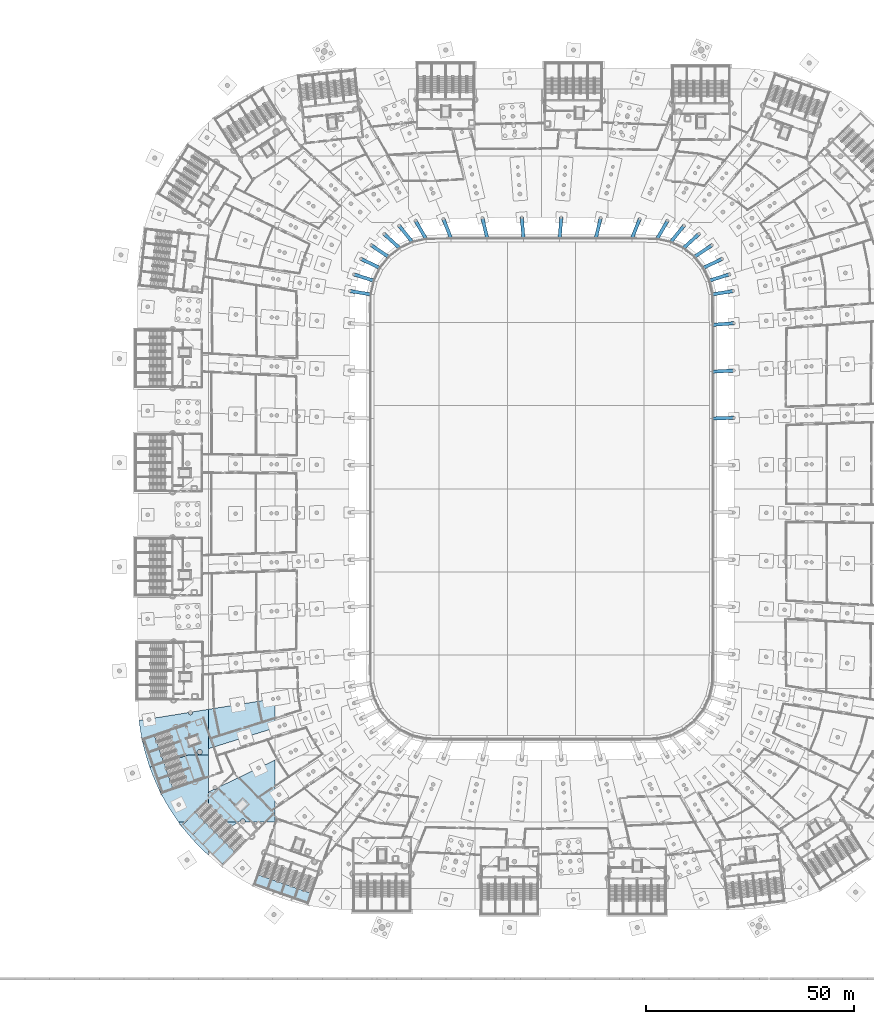
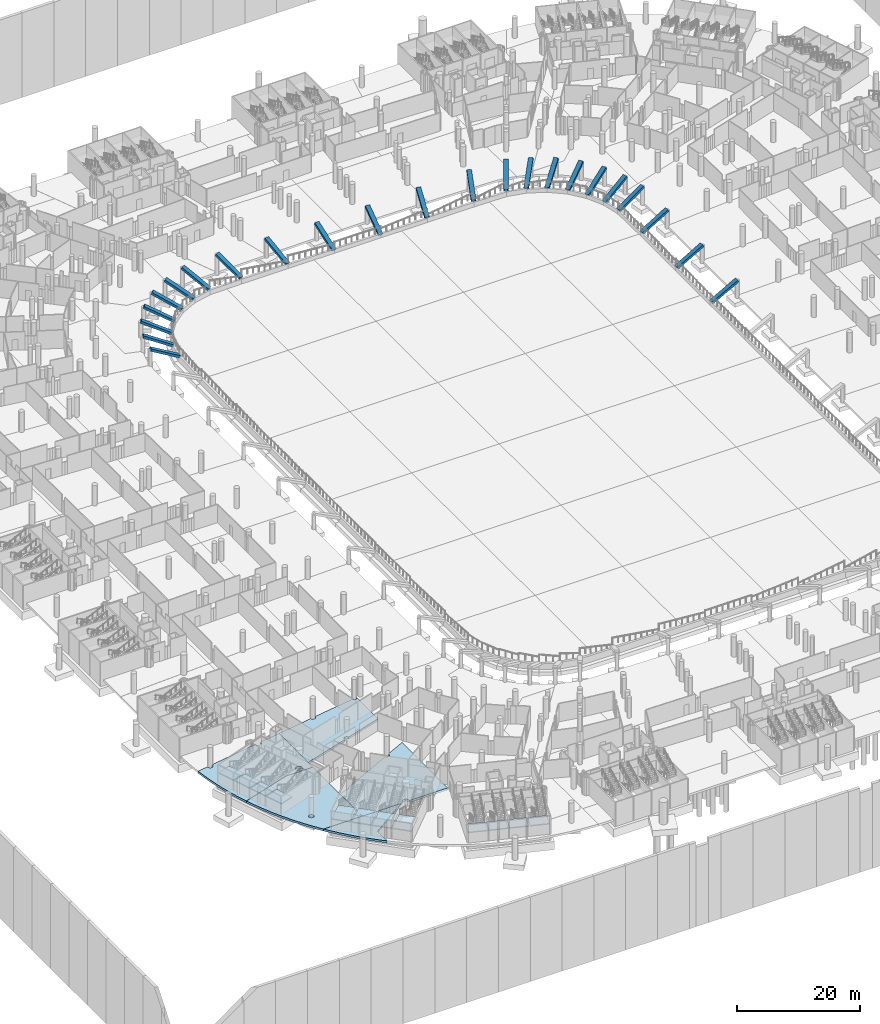
# One storey, part 13 of 142: 23 beams, 17 slabs, 12 elements without a shape of their own.
"""IFC4 building model written with IfcOpenShell, lengths in metres."""

from ifc_helpers import new_model, si_unit, direction, frame, origin, origin_2d, place, context, subcontext, project, spatial, polyline, rectangle, outline, extrude, material, layer, layer_set, material_profile, profile_set, type_object, element, aggregate, save


model = new_model("IFC4")

# Units and contexts
model_context = context("Model", 3, precision=1e-05, world=origin(), true_north=direction((0.0, 1.0)))
body_context = subcontext(model_context, "Body", "Model", "MODEL_VIEW")
ifc_project = project(units=[si_unit("LENGTHUNIT", "METRE"), si_unit("AREAUNIT", "SQUARE_METRE"), si_unit("VOLUMEUNIT", "CUBIC_METRE"), si_unit("PLANEANGLEUNIT", "RADIAN"), si_unit("MASSUNIT", "GRAM", prefix="KILO")], contexts=[model_context])

# Site, building, storey
site_placement = place(None, origin())
site = spatial("IfcSite", under=ifc_project, at=site_placement, CompositionType="ELEMENT")
building_placement = place(site_placement, origin())
building = spatial("IfcBuilding", under=site, at=building_placement, Name="Meseta Stadium", CompositionType="ELEMENT")
storey_placement = place(building_placement, frame((0.0, 0.0, -4.0)))
storey = spatial("IfcBuildingStorey", under=building, at=storey_placement, Name="B1", CompositionType="ELEMENT", Elevation=-4.0)

# Beams
ifc_material_1 = material(Name="Concrete C40/50", Category="concrete")
ifc_material_profile = material_profile(ifc_material_1, rectangle(XDim=0.800048828125, YDim=0.449951171875, at=origin_2d()), Name="RC 800x450")
ifc_profile_set = profile_set([ifc_material_profile], Name="Concrete C40/50")
beam_type = type_object("IfcBeamType", Name="RC raker lower 800x450", PredefinedType="USERDEFINED", material=ifc_profile_set)
beam_1_placement = place(storey_placement, frame((41.199951171875, 16.881591796875, 0.519287109375), z_axis=(0.890351363986, 0.029273851579, 0.454331916402), x_axis=(-0.032861230583, 0.999459923921, 0.0)))
element("IfcBeam", 1, at=beam_1_placement, inside=storey, type_object=beam_type, Name="Raker lower frame 6 lower tier", ObjectType="RAKER", PredefinedType="USERDEFINED", context=body_context, shape_type="SweptSolid", body=[
    extrude(rectangle(XDim=0.800048828125, YDim=0.449951171875, at=origin_2d()), origin(), (0.0, 0.0, 1.0), 5.61279296875),
])
for number, where, z_axis, x_axis, name in (
    (2, (41.19970703125, 28.135986328125, 0.582275390625), (0.889511317653, 0.048762393618, 0.454303692189), (-0.054737121461, 0.998500799967, 0.0), "Raker lower frame 7 lower tier"),
    (3, (41.199462890625, 39.390380859375, 0.64501953125), (0.888255930524, 0.06816342033, 0.454263304724), (-0.076513536062, 0.997068542679, 0.0), "Raker lower frame 8 lower tier"),
):
    element("IfcBeam", number, at=place(storey_placement, frame(where, z_axis=z_axis, x_axis=x_axis)), inside=storey, type_object=beam_type, Name=name, ObjectType="RAKER", PredefinedType="USERDEFINED", context=body_context, shape_type="SweptSolid", body=[
        extrude(rectangle(XDim=0.800048828125, YDim=0.449951171875, at=origin_2d()), origin(), (0.0, 0.0, 1.0), 5.612548828125),
    ])
beam_2_placement = place(storey_placement, frame((41.10302734375, 46.711181640625, 0.65234375), z_axis=(0.879657268627, 0.141693557068, 0.454011041315), x_axis=(-0.159028264924, 0.987274030325, 0.0)))
element("IfcBeam", 4, at=beam_2_placement, inside=storey, type_object=beam_type, Name="Raker lower frame 9 lower tier", ObjectType="RAKER", PredefinedType="USERDEFINED", context=body_context, shape_type="SweptSolid", body=[
    extrude(rectangle(XDim=0.800048828125, YDim=0.449951171875, at=origin_2d()), origin(), (0.0, 0.0, 1.0), 5.61181640625),
])
beam_3_placement = place(storey_placement, frame((40.34912109375, 50.013916015625, 0.518798828125), z_axis=(0.850475015067, 0.266692809965, 0.453395185087), x_axis=(-0.299214559617, 0.95418585575, 0.0)))
element("IfcBeam", 5, at=beam_3_placement, inside=storey, type_object=beam_type, Name="Raker lower frame 10 lower tier", ObjectType="RAKER", PredefinedType="USERDEFINED", context=body_context, shape_type="SweptSolid", body=[
    extrude(rectangle(XDim=0.800048828125, YDim=0.449951171875, at=origin_2d()), origin(), (0.0, 0.0, 1.0), 5.60986328125),
])
for number, where, z_axis, x_axis, name in (
    (6, (38.881103515625, 53.067138671875, 0.5869140625), (0.803269686135, 0.386293641119, 0.453359718289), (-0.433391294974, 0.901205850758, 0.0), "Raker lower frame 11 lower tier"),
    (7, (36.7724609375, 55.718505859375, 0.652587890625), (0.738726458975, 0.49870781745, 0.453402394816), (-0.559524848094, 0.828813576364, 0.0), "Raker lower frame 12 lower tier"),
    (8, (34.1279296875, 57.8359375, 0.71533203125), (0.65749256228, 0.601827441001, 0.453329087755), (-0.67519158345, 0.737642410412, 0.0), "Raker lower frame 13 lower tier"),
):
    element("IfcBeam", number, at=place(storey_placement, frame(where, z_axis=z_axis, x_axis=x_axis)), inside=storey, type_object=beam_type, Name=name, ObjectType="RAKER", PredefinedType="USERDEFINED", context=body_context, shape_type="SweptSolid", body=[
        extrude(rectangle(XDim=0.800048828125, YDim=0.449951171875, at=origin_2d()), origin(), (0.0, 0.0, 1.0), 5.609619140625),
    ])
beam_4_placement = place(storey_placement, frame((31.079833984375, 59.31396484375, 0.773681640625), z_axis=(0.559804362364, 0.693640345435, 0.453301386566), x_axis=(-0.778184391553, 0.628035868994, 0.0)))
element("IfcBeam", 9, at=beam_4_placement, inside=storey, type_object=beam_type, Name="Raker lower frame 14 lower tier", ObjectType="RAKER", PredefinedType="USERDEFINED", context=body_context, shape_type="SweptSolid", body=[
    extrude(rectangle(XDim=0.800048828125, YDim=0.449951171875, at=origin_2d()), origin(), (0.0, 0.0, 1.0), 5.609375),
])
beam_5_placement = place(storey_placement, frame((27.779541015625, 60.078857421875, 1.106201171875), z_axis=(0.446036419897, 0.771653016021, 0.4534348189), x_axis=(-0.865771523594, 0.500439475795, 0.0)))
element("IfcBeam", 10, at=beam_5_placement, inside=storey, type_object=beam_type, Name="Raker lower frame 15 lower tier", ObjectType="RAKER", PredefinedType="USERDEFINED", context=body_context, shape_type="SweptSolid", body=[
    extrude(rectangle(XDim=0.800048828125, YDim=0.449951171875, at=origin_2d()), origin(), (0.0, 0.0, 1.0), 5.60986328125),
])
beam_6_placement = place(storey_placement, frame((21.740478515625, 60.185791015625, 1.125), z_axis=(0.328737607393, 0.828458807512, 0.453417676917), x_axis=(-0.929496822239, 0.368830120039, 0.0)))
element("IfcBeam", 11, at=beam_6_placement, inside=storey, type_object=beam_type, Name="Raker lower frame 16 lower tier", ObjectType="RAKER", PredefinedType="USERDEFINED", context=body_context, shape_type="SweptSolid", body=[
    extrude(rectangle(XDim=0.800048828125, YDim=0.449951171875, at=origin_2d()), origin(), (0.0, 0.0, 1.0), 5.610107421875),
])
beam_7_placement = place(storey_placement, frame((13.04638671875, 60.194580078125, 0.802734375), z_axis=(0.206437336138, 0.8671412709, 0.453265532056), x_axis=(-0.972812501273, 0.231594122047, 0.0)))
element("IfcBeam", 12, at=beam_7_placement, inside=storey, type_object=beam_type, Name="Raker lower frame 17 lower tier", ObjectType="RAKER", PredefinedType="USERDEFINED", context=body_context, shape_type="SweptSolid", body=[
    extrude(rectangle(XDim=0.800048828125, YDim=0.449951171875, at=origin_2d()), origin(), (0.0, 0.0, 1.0), 5.609130859375),
])
for number, where, z_axis, x_axis, name in (
    (13, (4.34912109375, 60.199462890625, 0.456298828125), (0.070514381554, 0.888611789773, 0.453207247373), (-0.996866309449, 0.079104747554, 0.0), "Raker lower frame 18 lower tier"),
    (14, (-4.34912109375, 60.199462890625, 0.456298828125), (-0.070514381554, 0.888611789773, 0.453207247373), (-0.996866309449, -0.079104747554, 0.0), "Raker lower frame 19 lower tier"),
):
    element("IfcBeam", number, at=place(storey_placement, frame(where, z_axis=z_axis, x_axis=x_axis)), inside=storey, type_object=beam_type, Name=name, ObjectType="RAKER", PredefinedType="USERDEFINED", context=body_context, shape_type="SweptSolid", body=[
        extrude(rectangle(XDim=0.800048828125, YDim=0.449951171875, at=origin_2d()), origin(), (0.0, 0.0, 1.0), 5.60888671875),
    ])
beam_8_placement = place(storey_placement, frame((-13.04638671875, 60.194580078125, 0.802734375), z_axis=(-0.206437336138, 0.8671412709, 0.453265532056), x_axis=(-0.972812501273, -0.231594122047, 0.0)))
element("IfcBeam", 15, at=beam_8_placement, inside=storey, type_object=beam_type, Name="Raker lower frame 20 lower tier", ObjectType="RAKER", PredefinedType="USERDEFINED", context=body_context, shape_type="SweptSolid", body=[
    extrude(rectangle(XDim=0.800048828125, YDim=0.449951171875, at=origin_2d()), origin(), (0.0, 0.0, 1.0), 5.609130859375),
])
beam_9_placement = place(storey_placement, frame((-21.740478515625, 60.185791015625, 1.125), z_axis=(-0.328737607393, 0.828458807512, 0.453417676917), x_axis=(-0.929496822239, -0.368830120039, 0.0)))
element("IfcBeam", 16, at=beam_9_placement, inside=storey, type_object=beam_type, Name="Raker lower frame 21 lower tier", ObjectType="RAKER", PredefinedType="USERDEFINED", context=body_context, shape_type="SweptSolid", body=[
    extrude(rectangle(XDim=0.800048828125, YDim=0.449951171875, at=origin_2d()), origin(), (0.0, 0.0, 1.0), 5.610107421875),
])
beam_10_placement = place(storey_placement, frame((-27.779541015625, 60.078857421875, 1.106201171875), z_axis=(-0.446036419897, 0.771653016021, 0.4534348189), x_axis=(-0.865771523594, -0.500439475795, 0.0)))
element("IfcBeam", 17, at=beam_10_placement, inside=storey, type_object=beam_type, Name="Raker lower frame 22 lower tier", ObjectType="RAKER", PredefinedType="USERDEFINED", context=body_context, shape_type="SweptSolid", body=[
    extrude(rectangle(XDim=0.800048828125, YDim=0.449951171875, at=origin_2d()), origin(), (0.0, 0.0, 1.0), 5.60986328125),
])
beam_11_placement = place(storey_placement, frame((-31.079833984375, 59.31396484375, 0.773681640625), z_axis=(-0.559804362364, 0.693640345435, 0.453301386566), x_axis=(-0.778184391553, -0.628035868994, 0.0)))
element("IfcBeam", 18, at=beam_11_placement, inside=storey, type_object=beam_type, Name="Raker lower frame 23 lower tier", ObjectType="RAKER", PredefinedType="USERDEFINED", context=body_context, shape_type="SweptSolid", body=[
    extrude(rectangle(XDim=0.800048828125, YDim=0.449951171875, at=origin_2d()), origin(), (0.0, 0.0, 1.0), 5.609375),
])
for number, where, z_axis, x_axis, name in (
    (19, (-34.1279296875, 57.8359375, 0.71533203125), (-0.65749256228, 0.601827441001, 0.453329087755), (-0.67519158345, -0.737642410412, 0.0), "Raker lower frame 24 lower tier"),
    (20, (-36.7724609375, 55.718505859375, 0.652587890625), (-0.738726458975, 0.49870781745, 0.453402394816), (-0.559524848094, -0.828813576364, 0.0), "Raker lower frame 25 lower tier"),
    (21, (-38.881103515625, 53.067138671875, 0.5869140625), (-0.803269686135, 0.386293641119, 0.453359718289), (-0.433391294974, -0.901205850758, 0.0), "Raker lower frame 26 lower tier"),
):
    element("IfcBeam", number, at=place(storey_placement, frame(where, z_axis=z_axis, x_axis=x_axis)), inside=storey, type_object=beam_type, Name=name, ObjectType="RAKER", PredefinedType="USERDEFINED", context=body_context, shape_type="SweptSolid", body=[
        extrude(rectangle(XDim=0.800048828125, YDim=0.449951171875, at=origin_2d()), origin(), (0.0, 0.0, 1.0), 5.609619140625),
    ])
beam_12_placement = place(storey_placement, frame((-40.34912109375, 50.013916015625, 0.518798828125), z_axis=(-0.850475015067, 0.266692809965, 0.453395185087), x_axis=(-0.299214559617, -0.95418585575, 0.0)))
element("IfcBeam", 22, at=beam_12_placement, inside=storey, type_object=beam_type, Name="Raker lower frame 27 lower tier", ObjectType="RAKER", PredefinedType="USERDEFINED", context=body_context, shape_type="SweptSolid", body=[
    extrude(rectangle(XDim=0.800048828125, YDim=0.449951171875, at=origin_2d()), origin(), (0.0, 0.0, 1.0), 5.60986328125),
])
beam_13_placement = place(storey_placement, frame((-41.10302734375, 46.711181640625, 0.65234375), z_axis=(-0.879657268627, 0.141693557068, 0.454011041315), x_axis=(-0.159028264924, -0.987274030325, 0.0)))
element("IfcBeam", 23, at=beam_13_placement, inside=storey, type_object=beam_type, Name="Raker lower frame 28 lower tier", ObjectType="RAKER", PredefinedType="USERDEFINED", context=body_context, shape_type="SweptSolid", body=[
    extrude(rectangle(XDim=0.800048828125, YDim=0.449951171875, at=origin_2d()), origin(), (0.0, 0.0, 1.0), 5.61181640625),
])

# Slabs
ifc_material_2 = material(Name="Concrete C30/37", Category="concrete")
ifc_layer_1 = layer(ifc_material_2, 0.39990234375)
ifc_layer_set_1 = layer_set([ifc_layer_1], Name="Base slab 400")
slab_type_1 = type_object("IfcSlabType", Name="Base slab 400", PredefinedType="BASESLAB", material=ifc_layer_set_1)
slab_1_placement = place(storey_placement, frame((0.0, 0.0, -0.39990234375)))
element("IfcSlab", 24, at=slab_1_placement, inside=storey, type_object=slab_type_1, Name="Base slab B1 sector 35 panel 03", PredefinedType="BASESLAB", context=body_context, shape_type="SweptSolid", body=[
    extrude(outline(polyline([(-94.67041015625, -55.692626953125), (-94.712158203125, -55.614501953125), (-94.73779296875, -55.52978515625), (-94.74658203125, -55.44140625), (-94.73681640625, -55.34912109375), (-96.685791015625, -55.6630859375), (-96.43603515625, -57.5673828125), (-96.114990234375, -59.461181640625), (-95.722900390625, -61.34130859375), (-95.2607421875, -63.20556640625), (-94.728759765625, -65.051025390625), (-94.127685546875, -66.875244140625), (-84.956787109375, -64.0), (-80.0, -64.0), (-80.0, -52.975830078125), (-83.86669921875, -53.5986328125), (-83.861083984375, -53.609375), (-83.83251953125, -53.70361328125), (-83.82275390625, -53.801513671875), (-83.83251953125, -53.899658203125), (-83.861083984375, -53.993896484375), (-83.907470703125, -54.080810546875), (-83.969970703125, -54.15673828125), (-84.046142578125, -54.21923828125), (-84.1328125, -54.265625), (-84.227294921875, -54.294189453125), (-84.3251953125, -54.303955078125), (-84.423095703125, -54.294189453125), (-84.517578125, -54.265625), (-84.604248046875, -54.21923828125), (-84.680419921875, -54.15673828125), (-84.742919921875, -54.080810546875), (-84.789306640625, -53.993896484375), (-84.818115234375, -53.899658203125), (-84.82763671875, -53.801513671875), (-84.82275390625, -53.752685546875), (-93.905029296875, -55.21533203125), (-93.876708984375, -55.268310546875), (-93.850830078125, -55.353271484375), (-93.84228515625, -55.44140625), (-93.850830078125, -55.52978515625), (-93.876708984375, -55.614501953125), (-93.91845703125, -55.692626953125), (-93.974609375, -55.76123046875), (-94.043212890625, -55.8173828125), (-94.121337890625, -55.859130859375), (-94.206298828125, -55.885009765625), (-94.29443359375, -55.893798828125), (-94.382568359375, -55.885009765625), (-94.467529296875, -55.859130859375), (-94.545654296875, -55.8173828125), (-94.6142578125, -55.76123046875), (-94.67041015625, -55.692626953125)]), holes=[polyline([(-82.6767578125, -63.421875), (-82.711181640625, -63.308837890625), (-82.71240234375, -63.296142578125), (-82.72265625, -63.191162109375), (-82.711181640625, -63.073486328125), (-82.6767578125, -62.96044921875), (-82.62109375, -62.856201171875), (-82.546142578125, -62.764892578125), (-82.454833984375, -62.68994140625), (-82.3505859375, -62.63427734375), (-82.2373046875, -62.599853515625), (-82.119873046875, -62.58837890625), (-82.002197265625, -62.599853515625), (-81.88916015625, -62.63427734375), (-81.784912109375, -62.68994140625), (-81.693603515625, -62.764892578125), (-81.618408203125, -62.856201171875), (-81.562744140625, -62.96044921875), (-81.528564453125, -63.073486328125), (-81.516845703125, -63.191162109375), (-81.528564453125, -63.308837890625), (-81.562744140625, -63.421875), (-81.618408203125, -63.526123046875), (-81.693603515625, -63.617431640625), (-81.784912109375, -63.6923828125), (-81.88916015625, -63.748291015625), (-82.002197265625, -63.782470703125), (-82.119873046875, -63.794189453125), (-82.2373046875, -63.782470703125), (-82.3505859375, -63.748291015625), (-82.454833984375, -63.6923828125), (-82.546142578125, -63.617431640625), (-82.62109375, -63.526123046875), (-82.6767578125, -63.421875)])]), origin(), (0.0, 0.0, 1.0), 0.39990234375),
])
slab_2_placement = place(storey_placement, frame((0.0, 0.0, -0.39990234375)))
element("IfcSlab", 25, at=slab_2_placement, inside=storey, type_object=slab_type_1, Name="Base slab B1 sector 35 panel 04", PredefinedType="BASESLAB", context=body_context, shape_type="SweptSolid", body=[
    extrude(outline(polyline([(-92.722412109375, -70.44970703125), (-91.920166015625, -72.19482421875), (-91.052978515625, -73.908447265625), (-90.121826171875, -75.58837890625), (-89.12841796875, -77.232421875), (-88.073974609375, -78.837646484375), (-87.246337890625, -80.0), (-80.0, -80.0), (-80.0, -64.0), (-84.956787109375, -64.0), (-94.127685546875, -66.875244140625), (-93.458740234375, -68.67578125), (-92.722412109375, -70.44970703125)]), holes=[polyline([(-86.707275390625, -75.945068359375), (-86.73291015625, -76.02978515625), (-86.77490234375, -76.10791015625), (-86.8310546875, -76.176513671875), (-86.899658203125, -76.232666015625), (-86.977783203125, -76.2744140625), (-87.0625, -76.30029296875), (-87.15087890625, -76.308837890625), (-87.239013671875, -76.30029296875), (-87.32373046875, -76.2744140625), (-87.402099609375, -76.232666015625), (-87.470458984375, -76.176513671875), (-87.52685546875, -76.10791015625), (-87.568603515625, -76.02978515625), (-87.59423828125, -75.945068359375), (-87.60302734375, -75.856689453125), (-87.59423828125, -75.7685546875), (-87.568603515625, -75.68359375), (-87.52685546875, -75.60546875), (-87.470458984375, -75.537109375), (-87.402099609375, -75.480712890625), (-87.32373046875, -75.43896484375), (-87.239013671875, -75.413330078125), (-87.15087890625, -75.404541015625), (-87.0625, -75.413330078125), (-86.977783203125, -75.43896484375), (-86.899658203125, -75.480712890625), (-86.8310546875, -75.537109375), (-86.77490234375, -75.60546875), (-86.73291015625, -75.68359375), (-86.707275390625, -75.7685546875), (-86.698486328125, -75.856689453125), (-86.707275390625, -75.945068359375)])]), origin(), (0.0, 0.0, 1.0), 0.39990234375),
])
slab_3_placement = place(storey_placement, frame((0.0, 0.0, -0.39990234375)))
element("IfcSlab", 26, at=slab_3_placement, inside=storey, type_object=slab_type_1, Name="Base slab B1 sector 35 panel 05", PredefinedType="BASESLAB", context=body_context, shape_type="SweptSolid", body=[
    extrude(outline(polyline([(-87.246337890625, -80.0), (-86.9599609375, -80.402099609375), (-85.787841796875, -81.923828125), (-84.5595703125, -83.400390625), (-83.276611328125, -84.829833984375), (-81.940673828125, -86.2099609375), (-80.55419921875, -87.5390625), (-80.0, -88.031494140625), (-80.0, -84.89990234375), (-72.741455078125, -80.0), (-87.246337890625, -80.0)])), origin(), (0.0, 0.0, 1.0), 0.39990234375),
])
slab_4_placement = place(storey_placement, frame((0.0, 0.0, -0.39990234375)))
element("IfcSlab", 27, at=slab_4_placement, inside=storey, type_object=slab_type_1, Name="Base slab B1 sector 35 panel 06", PredefinedType="BASESLAB", context=body_context, shape_type="SweptSolid", body=[
    extrude(outline(polyline([(-70.793701171875, -59.426025390625), (-70.751953125, -59.504150390625), (-70.740234375, -59.54248046875), (-64.0, -57.42919921875), (-64.0, -50.39892578125), (-64.10595703125, -50.416015625), (-64.099609375, -50.479736328125), (-64.107421875, -50.55810546875), (-64.13037109375, -50.633544921875), (-64.16748046875, -50.702880859375), (-64.21728515625, -50.763916015625), (-64.2783203125, -50.81396484375), (-64.347900390625, -50.85107421875), (-64.423095703125, -50.873779296875), (-64.501708984375, -50.881591796875), (-64.580078125, -50.873779296875), (-64.655517578125, -50.85107421875), (-64.724853515625, -50.81396484375), (-64.785888671875, -50.763916015625), (-64.835693359375, -50.702880859375), (-64.873046875, -50.633544921875), (-64.895751953125, -50.55810546875), (-64.897216796875, -50.54345703125), (-72.547119140625, -51.775390625), (-72.5400390625, -51.84716796875), (-72.548583984375, -51.935302734375), (-72.574462890625, -52.020263671875), (-72.6162109375, -52.098388671875), (-72.672607421875, -52.1669921875), (-72.740966796875, -52.22314453125), (-72.819091796875, -52.264892578125), (-72.904052734375, -52.290771484375), (-72.9921875, -52.29931640625), (-73.080322265625, -52.290771484375), (-73.165283203125, -52.264892578125), (-73.243408203125, -52.22314453125), (-73.31201171875, -52.1669921875), (-73.3681640625, -52.098388671875), (-73.409912109375, -52.020263671875), (-73.435791015625, -51.935302734375), (-73.437255859375, -51.9189453125), (-80.0, -52.975830078125), (-80.0, -62.44580078125), (-71.59912109375, -59.81201171875), (-71.61328125, -59.765380859375), (-71.621826171875, -59.67724609375), (-71.61328125, -59.589111328125), (-71.58740234375, -59.504150390625), (-71.545654296875, -59.426025390625), (-71.489501953125, -59.357421875), (-71.4208984375, -59.30126953125), (-71.3427734375, -59.259521484375), (-71.2578125, -59.23388671875), (-71.169677734375, -59.22509765625), (-71.08154296875, -59.23388671875), (-70.99658203125, -59.259521484375), (-70.91845703125, -59.30126953125), (-70.85009765625, -59.357421875), (-70.793701171875, -59.426025390625)])), origin(), (0.0, 0.0, 1.0), 0.39990234375),
])
slab_5_placement = place(storey_placement, frame((0.0, 0.0, -0.39990234375)))
element("IfcSlab", 28, at=slab_5_placement, inside=storey, type_object=slab_type_1, Name="Base slab B1 sector 35 panel 10", PredefinedType="BASESLAB", context=body_context, shape_type="SweptSolid", body=[
    extrude(outline(polyline([(-72.20166015625, -79.462646484375), (-72.1103515625, -79.3876953125), (-72.006103515625, -79.331787109375), (-71.89306640625, -79.297607421875), (-71.775390625, -79.285888671875), (-71.65771484375, -79.297607421875), (-71.544677734375, -79.331787109375), (-71.4404296875, -79.3876953125), (-71.34912109375, -79.462646484375), (-71.274169921875, -79.553955078125), (-71.218505859375, -79.658203125), (-71.18408203125, -79.771240234375), (-71.172607421875, -79.888916015625), (-71.18359375, -80.0), (-64.0, -80.0), (-64.0, -65.1474609375), (-67.56640625, -66.862548828125), (-67.5546875, -66.884765625), (-67.52880859375, -66.969482421875), (-67.520263671875, -67.057861328125), (-67.52880859375, -67.14599609375), (-67.5546875, -67.23095703125), (-67.596435546875, -67.30908203125), (-67.652587890625, -67.377685546875), (-67.72119140625, -67.433837890625), (-67.79931640625, -67.4755859375), (-67.88427734375, -67.501220703125), (-67.972412109375, -67.510009765625), (-68.060546875, -67.501220703125), (-68.1455078125, -67.4755859375), (-68.2236328125, -67.433837890625), (-68.292236328125, -67.377685546875), (-68.348388671875, -67.30908203125), (-68.37841796875, -67.253173828125), (-77.9541015625, -71.858154296875), (-77.981201171875, -71.9482421875), (-78.027587890625, -72.03515625), (-78.090087890625, -72.111083984375), (-78.166259765625, -72.173583984375), (-78.253173828125, -72.22021484375), (-78.347412109375, -72.248779296875), (-78.4453125, -72.25830078125), (-78.54345703125, -72.248779296875), (-78.6376953125, -72.22021484375), (-78.67041015625, -72.20263671875), (-80.0, -72.84228515625), (-80.0, -80.0), (-72.741455078125, -80.0), (-72.357421875, -79.74072265625), (-72.33251953125, -79.658203125), (-72.276611328125, -79.553955078125), (-72.20166015625, -79.462646484375)])), origin(), (0.0, 0.0, 1.0), 0.39990234375),
])

# Stair, slab
ifc_material_3 = material(Name="Concrete C40/50", Category="concrete")
stair_type = type_object("IfcStairType", Name="Exit stair 2 flights 154 mm risers", PredefinedType="HALF_TURN_STAIR", material=ifc_material_3)
stair_1_placement = place(storey_placement, origin())
stair_1 = element("IfcStair", 29, at=stair_1_placement, inside=storey, type_object=stair_type, Name="ST77 B1", PredefinedType="HALF_TURN_STAIR")
ifc_material_4 = material(Name="Concrete C40/50", Category="concrete")
ifc_layer_2 = layer(ifc_material_4, 0.199951171875)
ifc_layer_set_2 = layer_set([ifc_layer_2], Name="Stair landing 200")
slab_type_2 = type_object("IfcSlabType", Name="Stair landing 200", PredefinedType="LANDING", material=ifc_layer_set_2)
slab_6_placement = place(storey_placement, frame((0.0, 0.0, 1.800048828125)))
slab_6 = element("IfcSlab", 30, at=slab_6_placement, type_object=slab_type_2, Name="ST77 B1 landing 1", PredefinedType="LANDING", context=body_context, shape_type="SweptSolid", body=[
    extrude(outline(polyline([(-92.981201171875, -59.341064453125), (-95.406982421875, -60.18994140625), (-94.35009765625, -63.21044921875), (-91.92431640625, -62.361572265625), (-92.981201171875, -59.341064453125)])), origin(), (0.0, 0.0, 1.0), 0.199951171875),
])
aggregate(stair_1, [slab_6])

stair_2_placement = place(storey_placement, origin())
stair_2 = element("IfcStair", 31, at=stair_2_placement, inside=storey, type_object=stair_type, Name="ST78 B1", PredefinedType="HALF_TURN_STAIR")
slab_7_placement = place(storey_placement, frame((0.0, 0.0, 1.800048828125)))
slab_7 = element("IfcSlab", 32, at=slab_7_placement, type_object=slab_type_2, Name="ST78 B1 landing 1", PredefinedType="LANDING", context=body_context, shape_type="SweptSolid", body=[
    extrude(outline(polyline([(-91.8583984375, -62.55029296875), (-94.2841796875, -63.399169921875), (-93.227294921875, -66.419677734375), (-90.801513671875, -65.57080078125), (-91.8583984375, -62.55029296875)])), origin(), (0.0, 0.0, 1.0), 0.199951171875),
])
aggregate(stair_2, [slab_7])

stair_3_placement = place(storey_placement, origin())
stair_3 = element("IfcStair", 33, at=stair_3_placement, inside=storey, type_object=stair_type, Name="ST79 B1", PredefinedType="HALF_TURN_STAIR")
slab_8_placement = place(storey_placement, frame((0.0, 0.0, 1.800048828125)))
slab_8 = element("IfcSlab", 34, at=slab_8_placement, type_object=slab_type_2, Name="ST79 B1 landing 1", PredefinedType="LANDING", context=body_context, shape_type="SweptSolid", body=[
    extrude(outline(polyline([(-90.7353515625, -65.759521484375), (-93.1611328125, -66.6083984375), (-92.104248046875, -69.628662109375), (-89.678466796875, -68.780029296875), (-90.7353515625, -65.759521484375)])), origin(), (0.0, 0.0, 1.0), 0.199951171875),
])
aggregate(stair_3, [slab_8])

stair_4_placement = place(storey_placement, origin())
stair_4 = element("IfcStair", 35, at=stair_4_placement, inside=storey, type_object=stair_type, Name="ST80 B1", PredefinedType="HALF_TURN_STAIR")
slab_9_placement = place(storey_placement, frame((0.0, 0.0, 1.800048828125)))
slab_9 = element("IfcSlab", 36, at=slab_9_placement, type_object=slab_type_2, Name="ST80 B1 landing 1", PredefinedType="LANDING", context=body_context, shape_type="SweptSolid", body=[
    extrude(outline(polyline([(-89.6123046875, -68.96875), (-92.0380859375, -69.817626953125), (-90.981201171875, -72.837890625), (-88.555419921875, -71.9892578125), (-89.6123046875, -68.96875)])), origin(), (0.0, 0.0, 1.0), 0.199951171875),
])
aggregate(stair_4, [slab_9])

stair_5_placement = place(storey_placement, origin())
stair_5 = element("IfcStair", 37, at=stair_5_placement, inside=storey, type_object=stair_type, Name="ST81 B1", PredefinedType="HALF_TURN_STAIR")
slab_10_placement = place(storey_placement, frame((0.0, 0.0, 1.800048828125)))
slab_10 = element("IfcSlab", 38, at=slab_10_placement, type_object=slab_type_2, Name="ST81 B1 landing 1", PredefinedType="LANDING", context=body_context, shape_type="SweptSolid", body=[
    extrude(outline(polyline([(-83.215087890625, -77.73974609375), (-86.093017578125, -80.61767578125), (-83.830322265625, -82.88037109375), (-80.952392578125, -80.00244140625), (-83.215087890625, -77.73974609375)])), origin(), (0.0, 0.0, 1.0), 0.199951171875),
])
aggregate(stair_5, [slab_10])

stair_6_placement = place(storey_placement, origin())
stair_6 = element("IfcStair", 39, at=stair_6_placement, inside=storey, type_object=stair_type, Name="ST82 B1", PredefinedType="HALF_TURN_STAIR")
slab_11_placement = place(storey_placement, frame((0.0, 0.0, 1.800048828125)))
slab_11 = element("IfcSlab", 40, at=slab_11_placement, type_object=slab_type_2, Name="ST82 B1 landing 1", PredefinedType="LANDING", context=body_context, shape_type="SweptSolid", body=[
    extrude(outline(polyline([(-80.810791015625, -80.14404296875), (-83.688720703125, -83.02197265625), (-81.426025390625, -85.28466796875), (-78.548095703125, -82.40673828125), (-80.810791015625, -80.14404296875)])), origin(), (0.0, 0.0, 1.0), 0.199951171875),
])
aggregate(stair_6, [slab_11])

stair_7_placement = place(storey_placement, origin())
stair_7 = element("IfcStair", 41, at=stair_7_placement, inside=storey, type_object=stair_type, Name="ST83 B1", PredefinedType="HALF_TURN_STAIR")
slab_12_placement = place(storey_placement, frame((0.0, 0.0, 1.800048828125)))
slab_12 = element("IfcSlab", 42, at=slab_12_placement, type_object=slab_type_2, Name="ST83 B1 landing 1", PredefinedType="LANDING", context=body_context, shape_type="SweptSolid", body=[
    extrude(outline(polyline([(-78.40673828125, -82.548095703125), (-81.28466796875, -85.426025390625), (-79.02197265625, -87.688720703125), (-76.14404296875, -84.810791015625), (-78.40673828125, -82.548095703125)])), origin(), (0.0, 0.0, 1.0), 0.199951171875),
])
aggregate(stair_7, [slab_12])

stair_8_placement = place(storey_placement, origin())
stair_8 = element("IfcStair", 43, at=stair_8_placement, inside=storey, type_object=stair_type, Name="ST84 B1", PredefinedType="HALF_TURN_STAIR")
slab_13_placement = place(storey_placement, frame((0.0, 0.0, 1.800048828125)))
slab_13 = element("IfcSlab", 44, at=slab_13_placement, type_object=slab_type_2, Name="ST84 B1 landing 1", PredefinedType="LANDING", context=body_context, shape_type="SweptSolid", body=[
    extrude(outline(polyline([(-76.00244140625, -84.952392578125), (-78.88037109375, -87.830322265625), (-76.61767578125, -90.093017578125), (-73.73974609375, -87.215087890625), (-76.00244140625, -84.952392578125)])), origin(), (0.0, 0.0, 1.0), 0.199951171875),
])
aggregate(stair_8, [slab_13])

stair_9_placement = place(storey_placement, origin())
stair_9 = element("IfcStair", 45, at=stair_9_placement, inside=storey, type_object=stair_type, Name="ST85 B1", PredefinedType="HALF_TURN_STAIR")
slab_14_placement = place(storey_placement, frame((0.0, 0.0, 1.800048828125)))
slab_14 = element("IfcSlab", 46, at=slab_14_placement, type_object=slab_type_2, Name="ST85 B1 landing 1", PredefinedType="LANDING", context=body_context, shape_type="SweptSolid", body=[
    extrude(outline(polyline([(-68.05517578125, -92.744384765625), (-68.837890625, -94.981201171875), (-65.817626953125, -96.0380859375), (-65.03466796875, -93.80126953125), (-68.05517578125, -92.744384765625)])), origin(), (0.0, 0.0, 1.0), 0.199951171875),
])
aggregate(stair_9, [slab_14])

stair_10_placement = place(storey_placement, origin())
stair_10 = element("IfcStair", 47, at=stair_10_placement, inside=storey, type_object=stair_type, Name="ST86 B1", PredefinedType="HALF_TURN_STAIR")
slab_15_placement = place(storey_placement, frame((0.0, 0.0, 1.800048828125)))
slab_15 = element("IfcSlab", 48, at=slab_15_placement, type_object=slab_type_2, Name="ST86 B1 landing 1", PredefinedType="LANDING", context=body_context, shape_type="SweptSolid", body=[
    extrude(outline(polyline([(-64.845947265625, -93.8671875), (-65.628662109375, -96.104248046875), (-62.6083984375, -97.1611328125), (-61.82568359375, -94.924072265625), (-64.845947265625, -93.8671875)])), origin(), (0.0, 0.0, 1.0), 0.199951171875),
])
aggregate(stair_10, [slab_15])

stair_11_placement = place(storey_placement, origin())
stair_11 = element("IfcStair", 49, at=stair_11_placement, inside=storey, type_object=stair_type, Name="ST87 B1", PredefinedType="HALF_TURN_STAIR")
slab_16_placement = place(storey_placement, frame((0.0, 0.0, 1.800048828125)))
slab_16 = element("IfcSlab", 50, at=slab_16_placement, type_object=slab_type_2, Name="ST87 B1 landing 1", PredefinedType="LANDING", context=body_context, shape_type="SweptSolid", body=[
    extrude(outline(polyline([(-61.63671875, -94.990234375), (-62.419677734375, -97.227294921875), (-59.399169921875, -98.2841796875), (-58.616455078125, -96.047119140625), (-61.63671875, -94.990234375)])), origin(), (0.0, 0.0, 1.0), 0.199951171875),
])
aggregate(stair_11, [slab_16])

stair_12_placement = place(storey_placement, origin())
stair_12 = element("IfcStair", 51, at=stair_12_placement, inside=storey, type_object=stair_type, Name="ST88 B1", PredefinedType="HALF_TURN_STAIR")
slab_17_placement = place(storey_placement, frame((0.0, 0.0, 1.800048828125)))
slab_17 = element("IfcSlab", 52, at=slab_17_placement, type_object=slab_type_2, Name="ST88 B1 landing 1", PredefinedType="LANDING", context=body_context, shape_type="SweptSolid", body=[
    extrude(outline(polyline([(-58.427490234375, -96.113037109375), (-59.21044921875, -98.35009765625), (-56.18994140625, -99.406982421875), (-55.4072265625, -97.169921875), (-58.427490234375, -96.113037109375)])), origin(), (0.0, 0.0, 1.0), 0.199951171875),
])
aggregate(stair_12, [slab_17])

save(model, "model.ifc")
